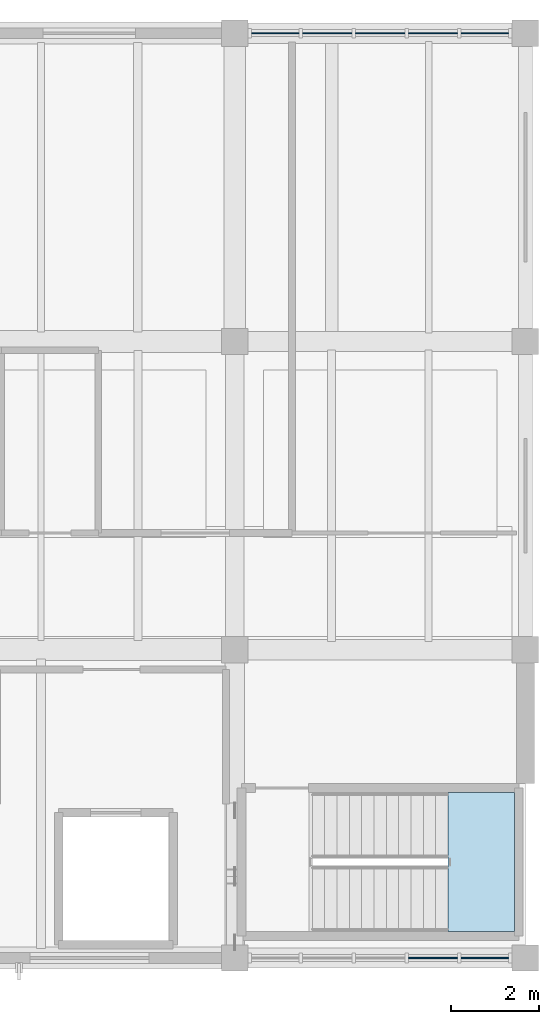
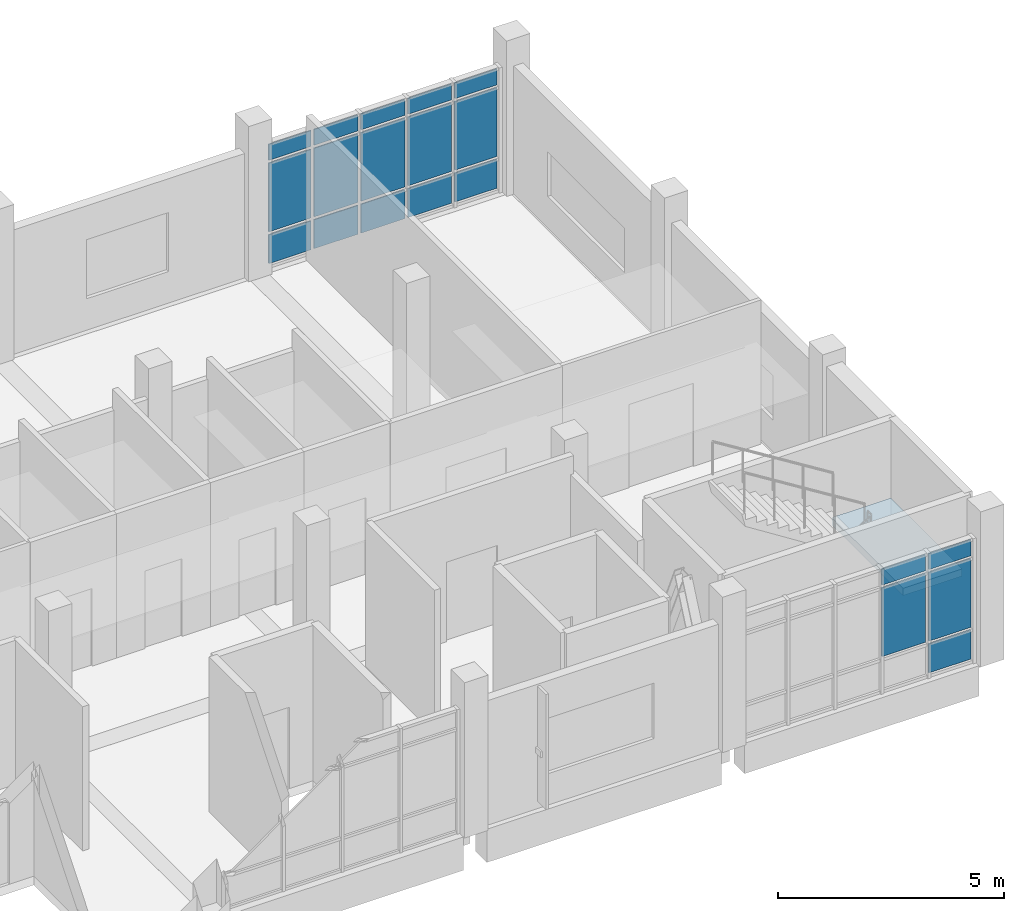
# One storey, part 7 of 14: 20 plates, 1 slab, 3 elements without a shape of their own.
"""IFC4 building model written with IfcOpenShell, lengths in metres."""

from ifc_helpers import new_model, si_unit, direction, frame, origin, origin_2d, place, context, subcontext, project, spatial, polyline, rectangle, outline, extrude, material, layer, layer_set, type_object, element, aggregate, save


model = new_model("IFC4")

# Units and contexts
model_context = context("Model", 3, precision=1e-05, world=origin(), true_north=direction((0.0, 1.0)))
body_context = subcontext(model_context, "Body", "Model", "MODEL_VIEW")
ifc_project = project(units=[si_unit("LENGTHUNIT", "METRE"), si_unit("AREAUNIT", "SQUARE_METRE"), si_unit("VOLUMEUNIT", "CUBIC_METRE"), si_unit("PLANEANGLEUNIT", "RADIAN"), si_unit("MASSUNIT", "GRAM", prefix="KILO")], contexts=[model_context])

# Site, building, storey
site_placement = place(None, origin())
site = spatial("IfcSite", under=ifc_project, at=site_placement, CompositionType="ELEMENT")
building_placement = place(site_placement, origin())
building = spatial("IfcBuilding", under=site, at=building_placement, Name="Ciguamira Faculty of Natural Sciences", CompositionType="ELEMENT")
storey_placement = place(building_placement, frame((0.0, 0.0, 33.60009765625)))
storey = spatial("IfcBuildingStorey", under=building, at=storey_placement, Name="L08", CompositionType="ELEMENT", Elevation=33.60009765625)

# Curtain wall, plates
ifc_material_1 = material(Name="Anodized aluminium curtain wall", Category="aluminium")
curtain_wall_type_1 = type_object("IfcCurtainWallType", Name="CurtainWall_CW-03", PredefinedType="USERDEFINED", material=ifc_material_1)
curtain_wall_1_placement = place(storey_placement, origin())
curtain_wall_1 = element("IfcCurtainWall", 1, at=curtain_wall_1_placement, inside=storey, type_object=curtain_wall_type_1, Name="L08 unitised curtain wall 0159", ObjectType="UNITISED CURTAIN WALL", PredefinedType="USERDEFINED")
ifc_material_2 = material(Name="Low-E laminated solar glass", Category="glass")
ifc_layer_1 = layer(ifc_material_2, 0.028076171875, Name="Low-E laminated solar glass")
ifc_layer_set_1 = layer_set([ifc_layer_1], Name="Low-E laminated solar glass")
plate_type_1 = type_object("IfcPlateType", Name="CWPanel_CWP-01", PredefinedType="CURTAIN_PANEL", material=ifc_layer_set_1)
plate_1_placement = place(storey_placement, frame((97.820068359375, 115.0, 0.080078125), z_axis=(0.0, 0.0, 1.0), x_axis=(1.0, 0.0, 0.0)))
plate_1 = element("IfcPlate", 2, at=plate_1_placement, type_object=plate_type_1, Name="CW-03 panel 1.1", PredefinedType="CURTAIN_PANEL", context=body_context, shape_type="SweptSolid", body=[
    extrude(rectangle(XDim=1.080078125, YDim=0.028076171875, at=origin_2d()), origin(), (0.0, 0.0, 1.0), 0.780029296875),
])
plate_2_placement = place(storey_placement, frame((97.820068359375, 115.0, 0.93994140625), z_axis=(0.0, 0.0, 1.0), x_axis=(1.0, 0.0, 0.0)))
plate_2 = element("IfcPlate", 3, at=plate_2_placement, type_object=plate_type_1, Name="CW-03 panel 1.2", PredefinedType="CURTAIN_PANEL", context=body_context, shape_type="SweptSolid", body=[
    extrude(rectangle(XDim=1.080078125, YDim=0.028076171875, at=origin_2d()), origin(), (0.0, 0.0, 1.0), 1.85498046875),
])
plate_3_placement = place(storey_placement, frame((97.820068359375, 115.0, 2.875), z_axis=(0.0, 0.0, 1.0), x_axis=(1.0, 0.0, 0.0)))
plate_3 = element("IfcPlate", 4, at=plate_3_placement, type_object=plate_type_1, Name="CW-03 panel 1.3", PredefinedType="CURTAIN_PANEL", context=body_context, shape_type="SweptSolid", body=[
    extrude(rectangle(XDim=1.080078125, YDim=0.028076171875, at=origin_2d()), origin(), (0.0, 0.0, 1.0), 0.429931640625),
])
plate_4_placement = place(storey_placement, frame((99.0, 115.0, 0.080078125), z_axis=(0.0, 0.0, 1.0), x_axis=(1.0, 0.0, 0.0)))
plate_4 = element("IfcPlate", 5, at=plate_4_placement, type_object=plate_type_1, Name="CW-03 panel 2.1", PredefinedType="CURTAIN_PANEL", context=body_context, shape_type="SweptSolid", body=[
    extrude(rectangle(XDim=1.1201171875, YDim=0.028076171875, at=origin_2d()), origin(), (0.0, 0.0, 1.0), 0.780029296875),
])
plate_5_placement = place(storey_placement, frame((99.0, 115.0, 0.93994140625), z_axis=(0.0, 0.0, 1.0), x_axis=(1.0, 0.0, 0.0)))
plate_5 = element("IfcPlate", 6, at=plate_5_placement, type_object=plate_type_1, Name="CW-03 panel 2.2", PredefinedType="CURTAIN_PANEL", context=body_context, shape_type="SweptSolid", body=[
    extrude(rectangle(XDim=1.1201171875, YDim=0.028076171875, at=origin_2d()), origin(), (0.0, 0.0, 1.0), 1.85498046875),
])
plate_6_placement = place(storey_placement, frame((99.0, 115.0, 2.875), z_axis=(0.0, 0.0, 1.0), x_axis=(1.0, 0.0, 0.0)))
plate_6 = element("IfcPlate", 7, at=plate_6_placement, type_object=plate_type_1, Name="CW-03 panel 2.3", PredefinedType="CURTAIN_PANEL", context=body_context, shape_type="SweptSolid", body=[
    extrude(rectangle(XDim=1.1201171875, YDim=0.028076171875, at=origin_2d()), origin(), (0.0, 0.0, 1.0), 0.429931640625),
])
plate_7_placement = place(storey_placement, frame((100.199951171875, 115.0, 0.080078125), z_axis=(0.0, 0.0, 1.0), x_axis=(1.0, 0.0, 0.0)))
plate_7 = element("IfcPlate", 8, at=plate_7_placement, type_object=plate_type_1, Name="CW-03 panel 3.1", PredefinedType="CURTAIN_PANEL", context=body_context, shape_type="SweptSolid", body=[
    extrude(rectangle(XDim=1.1201171875, YDim=0.028076171875, at=origin_2d()), origin(), (0.0, 0.0, 1.0), 0.780029296875),
])
plate_8_placement = place(storey_placement, frame((100.199951171875, 115.0, 0.93994140625), z_axis=(0.0, 0.0, 1.0), x_axis=(1.0, 0.0, 0.0)))
plate_8 = element("IfcPlate", 9, at=plate_8_placement, type_object=plate_type_1, Name="CW-03 panel 3.2", PredefinedType="CURTAIN_PANEL", context=body_context, shape_type="SweptSolid", body=[
    extrude(rectangle(XDim=1.1201171875, YDim=0.028076171875, at=origin_2d()), origin(), (0.0, 0.0, 1.0), 1.85498046875),
])
plate_9_placement = place(storey_placement, frame((100.199951171875, 115.0, 2.875), z_axis=(0.0, 0.0, 1.0), x_axis=(1.0, 0.0, 0.0)))
plate_9 = element("IfcPlate", 10, at=plate_9_placement, type_object=plate_type_1, Name="CW-03 panel 3.3", PredefinedType="CURTAIN_PANEL", context=body_context, shape_type="SweptSolid", body=[
    extrude(rectangle(XDim=1.1201171875, YDim=0.028076171875, at=origin_2d()), origin(), (0.0, 0.0, 1.0), 0.429931640625),
])
plate_10_placement = place(storey_placement, frame((101.39990234375, 115.0, 0.080078125), z_axis=(0.0, 0.0, 1.0), x_axis=(1.0, 0.0, 0.0)))
plate_10 = element("IfcPlate", 11, at=plate_10_placement, type_object=plate_type_1, Name="CW-03 panel 4.1", PredefinedType="CURTAIN_PANEL", context=body_context, shape_type="SweptSolid", body=[
    extrude(rectangle(XDim=1.1201171875, YDim=0.028076171875, at=origin_2d()), origin(), (0.0, 0.0, 1.0), 0.780029296875),
])
plate_11_placement = place(storey_placement, frame((101.39990234375, 115.0, 0.93994140625), z_axis=(0.0, 0.0, 1.0), x_axis=(1.0, 0.0, 0.0)))
plate_11 = element("IfcPlate", 12, at=plate_11_placement, type_object=plate_type_1, Name="CW-03 panel 4.2", PredefinedType="CURTAIN_PANEL", context=body_context, shape_type="SweptSolid", body=[
    extrude(rectangle(XDim=1.1201171875, YDim=0.028076171875, at=origin_2d()), origin(), (0.0, 0.0, 1.0), 1.85498046875),
])
plate_12_placement = place(storey_placement, frame((101.39990234375, 115.0, 2.875), z_axis=(0.0, 0.0, 1.0), x_axis=(1.0, 0.0, 0.0)))
plate_12 = element("IfcPlate", 13, at=plate_12_placement, type_object=plate_type_1, Name="CW-03 panel 4.3", PredefinedType="CURTAIN_PANEL", context=body_context, shape_type="SweptSolid", body=[
    extrude(rectangle(XDim=1.1201171875, YDim=0.028076171875, at=origin_2d()), origin(), (0.0, 0.0, 1.0), 0.429931640625),
])
plate_13_placement = place(storey_placement, frame((102.580078125, 115.0, 0.080078125), z_axis=(0.0, 0.0, 1.0), x_axis=(1.0, 0.0, 0.0)))
plate_13 = element("IfcPlate", 14, at=plate_13_placement, type_object=plate_type_1, Name="CW-03 panel 5.1", PredefinedType="CURTAIN_PANEL", context=body_context, shape_type="SweptSolid", body=[
    extrude(rectangle(XDim=1.080078125, YDim=0.028076171875, at=origin_2d()), origin(), (0.0, 0.0, 1.0), 0.780029296875),
])
plate_14_placement = place(storey_placement, frame((102.580078125, 115.0, 0.93994140625), z_axis=(0.0, 0.0, 1.0), x_axis=(1.0, 0.0, 0.0)))
plate_14 = element("IfcPlate", 15, at=plate_14_placement, type_object=plate_type_1, Name="CW-03 panel 5.2", PredefinedType="CURTAIN_PANEL", context=body_context, shape_type="SweptSolid", body=[
    extrude(rectangle(XDim=1.080078125, YDim=0.028076171875, at=origin_2d()), origin(), (0.0, 0.0, 1.0), 1.85498046875),
])
plate_15_placement = place(storey_placement, frame((102.580078125, 115.0, 2.875), z_axis=(0.0, 0.0, 1.0), x_axis=(1.0, 0.0, 0.0)))
plate_15 = element("IfcPlate", 16, at=plate_15_placement, type_object=plate_type_1, Name="CW-03 panel 5.3", PredefinedType="CURTAIN_PANEL", context=body_context, shape_type="SweptSolid", body=[
    extrude(rectangle(XDim=1.080078125, YDim=0.028076171875, at=origin_2d()), origin(), (0.0, 0.0, 1.0), 0.429931640625),
])
aggregate(curtain_wall_1, [plate_1, plate_2, plate_3, plate_4, plate_5, plate_6, plate_7, plate_8, plate_9, plate_10, plate_11, plate_12, plate_13, plate_14, plate_15])

curtain_wall_type_2 = type_object("IfcCurtainWallType", Name="CurtainWall_CW-12", PredefinedType="USERDEFINED", material=ifc_material_1)
curtain_wall_2_placement = place(storey_placement, origin())
curtain_wall_2 = element("IfcCurtainWall", 17, at=curtain_wall_2_placement, inside=storey, type_object=curtain_wall_type_2, Name="L08 unitised curtain wall 0156", ObjectType="UNITISED CURTAIN WALL", PredefinedType="USERDEFINED")
ifc_layer_2 = layer(ifc_material_2, 0.035888671875, Name="Low-E laminated solar glass")
ifc_layer_set_2 = layer_set([ifc_layer_2], Name="Low-E laminated solar glass")
plate_type_2 = type_object("IfcPlateType", Name="CWPanel_CWP-02", PredefinedType="CURTAIN_PANEL", material=ifc_layer_set_2)
plate_16_placement = place(storey_placement, frame((101.39990234375, 94.0, 0.93994140625), z_axis=(0.0, 0.0, 1.0), x_axis=(1.0, 0.0, 0.0)))
plate_16 = element("IfcPlate", 18, at=plate_16_placement, type_object=plate_type_2, Name="CW-12 panel 4.2", PredefinedType="CURTAIN_PANEL", context=body_context, shape_type="SweptSolid", body=[
    extrude(rectangle(XDim=1.1201171875, YDim=0.035888671875, at=origin_2d()), origin(), (0.0, 0.0, 1.0), 1.85498046875),
])
plate_17_placement = place(storey_placement, frame((101.39990234375, 94.0, 2.875), z_axis=(0.0, 0.0, 1.0), x_axis=(1.0, 0.0, 0.0)))
plate_17 = element("IfcPlate", 19, at=plate_17_placement, type_object=plate_type_2, Name="CW-12 panel 4.3", PredefinedType="CURTAIN_PANEL", context=body_context, shape_type="SweptSolid", body=[
    extrude(rectangle(XDim=1.1201171875, YDim=0.035888671875, at=origin_2d()), origin(), (0.0, 0.0, 1.0), 0.429931640625),
])
plate_18_placement = place(storey_placement, frame((102.580078125, 94.0, 0.080078125), z_axis=(0.0, 0.0, 1.0), x_axis=(1.0, 0.0, 0.0)))
plate_18 = element("IfcPlate", 20, at=plate_18_placement, type_object=plate_type_2, Name="CW-12 panel 5.1", PredefinedType="CURTAIN_PANEL", context=body_context, shape_type="SweptSolid", body=[
    extrude(rectangle(XDim=1.080078125, YDim=0.035888671875, at=origin_2d()), origin(), (0.0, 0.0, 1.0), 0.780029296875),
])
plate_19_placement = place(storey_placement, frame((102.580078125, 94.0, 0.93994140625), z_axis=(0.0, 0.0, 1.0), x_axis=(1.0, 0.0, 0.0)))
plate_19 = element("IfcPlate", 21, at=plate_19_placement, type_object=plate_type_2, Name="CW-12 panel 5.2", PredefinedType="CURTAIN_PANEL", context=body_context, shape_type="SweptSolid", body=[
    extrude(rectangle(XDim=1.080078125, YDim=0.035888671875, at=origin_2d()), origin(), (0.0, 0.0, 1.0), 1.85498046875),
])
plate_20_placement = place(storey_placement, frame((102.580078125, 94.0, 2.875), z_axis=(0.0, 0.0, 1.0), x_axis=(1.0, 0.0, 0.0)))
plate_20 = element("IfcPlate", 22, at=plate_20_placement, type_object=plate_type_2, Name="CW-12 panel 5.3", PredefinedType="CURTAIN_PANEL", context=body_context, shape_type="SweptSolid", body=[
    extrude(rectangle(XDim=1.080078125, YDim=0.035888671875, at=origin_2d()), origin(), (0.0, 0.0, 1.0), 0.429931640625),
])
aggregate(curtain_wall_2, [plate_16, plate_17, plate_18, plate_19, plate_20])

# Stair, slab
ifc_material_3 = material(Name="Concrete C40/50", Category="concrete")
stair_type = type_object("IfcStairType", Name="Stair_STR-02", PredefinedType="HALF_TURN_STAIR", material=ifc_material_3)
stair_placement = place(storey_placement, origin())
stair = element("IfcStair", 23, at=stair_placement, inside=storey, type_object=stair_type, Name="L08 Tower East Exit Stair", PredefinedType="HALF_TURN_STAIR")
ifc_layer_3 = layer(ifc_material_3, 0.199951171875, Name="Concrete C40/50")
ifc_layer_set_3 = layer_set([ifc_layer_3], Name="Concrete C40/50")
slab_type = type_object("IfcSlabType", Name="StairLanding_SLD01", PredefinedType="LANDING", material=ifc_layer_set_3)
slab_placement = place(storey_placement, frame((0.0, 0.0, 1.89990234375)))
slab = element("IfcSlab", 24, at=slab_placement, type_object=slab_type, Name="ST-T2 landing 1", PredefinedType="LANDING", context=body_context, shape_type="SweptSolid", body=[
    extrude(outline(polyline([(101.739990234375, 94.60009765625), (103.25, 94.60009765625), (103.25, 97.760009765625), (101.739990234375, 97.760009765625), (101.739990234375, 94.60009765625)])), origin(), (0.0, 0.0, 1.0), 0.199951171875),
])
aggregate(stair, [slab])

save(model, "model.ifc")
